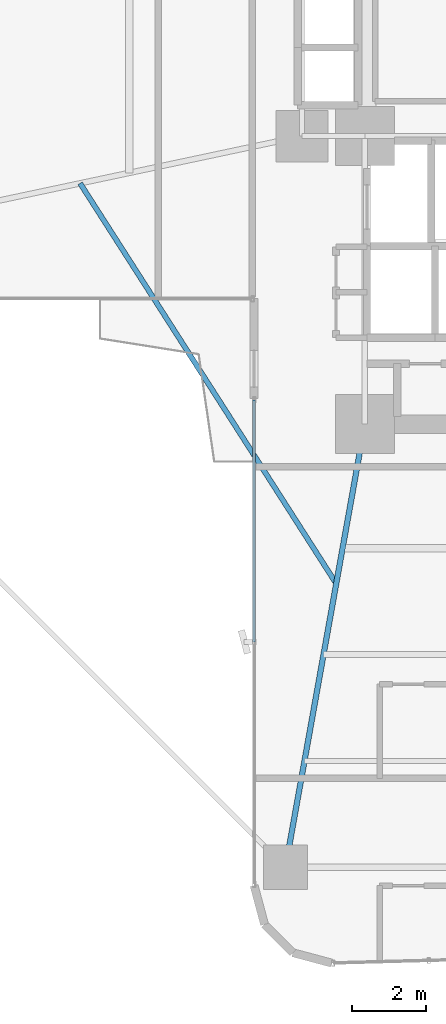
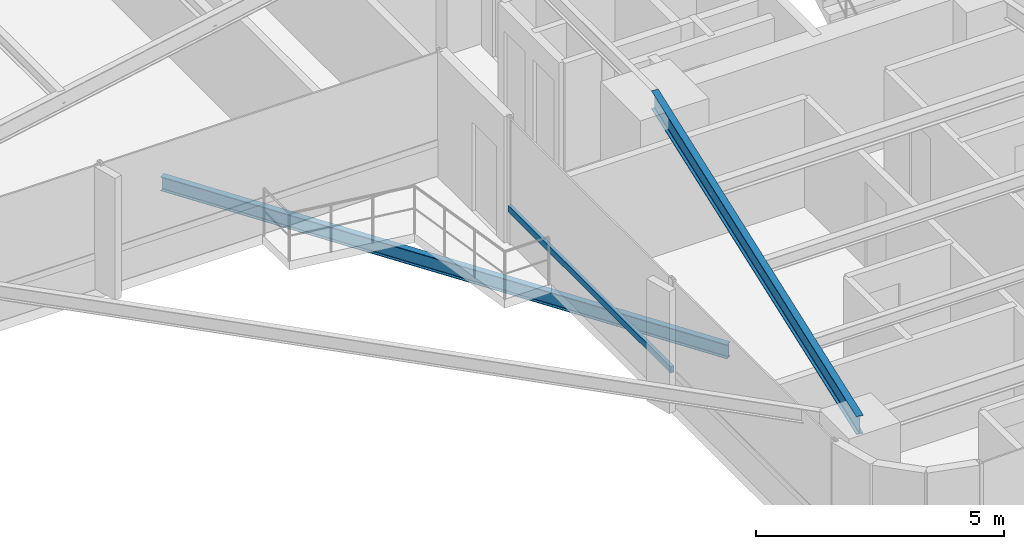
# One storey, part 3 of 26: 2 beams, 1 member, 1 element without a shape of its own.
"""IFC4 building model written with IfcOpenShell, lengths in metres."""

from ifc_helpers import new_model, si_unit, direction, frame, origin, origin_2d, place, context, subcontext, project, spatial, hollow_rectangle, i_section, extrude, source, transform, mapped, material, material_profile, profile_set, type_object, element, aggregate, save


model = new_model("IFC4")

# Units and contexts
model_context = context("Model", 3, precision=1e-05, world=origin(), true_north=direction((0.0, 1.0)))
body_context = subcontext(model_context, "Body", "Model", "MODEL_VIEW")
ifc_project = project(units=[si_unit("LENGTHUNIT", "METRE"), si_unit("AREAUNIT", "SQUARE_METRE"), si_unit("VOLUMEUNIT", "CUBIC_METRE"), si_unit("PLANEANGLEUNIT", "RADIAN"), si_unit("MASSUNIT", "GRAM", prefix="KILO")], contexts=[model_context])

# Site, building, storey
site_placement = place(None, origin())
site = spatial("IfcSite", under=ifc_project, at=site_placement, CompositionType="ELEMENT")
building_placement = place(site_placement, origin())
building = spatial("IfcBuilding", under=site, at=building_placement, Name="Sahyath Konkavel Grand Hotel", CompositionType="ELEMENT")
storey_placement = place(building_placement, frame((0.0, 0.0, 61.10009765625)))
storey = spatial("IfcBuildingStorey", under=building, at=storey_placement, Name="L16", CompositionType="ELEMENT", Elevation=61.10009765625)

# Beam
ifc_material_1 = material(Name="Steel E350", Category="steel")
ifc_material_profile_1 = material_profile(ifc_material_1, i_section(OverallWidth=0.14990234375, OverallDepth=0.449951171875, WebThickness=0.009521484375, FlangeThickness=0.017333984375, FilletRadius=0.014892578125, at=origin_2d()), Name="ISMB 450")
ifc_profile_set_1 = profile_set([ifc_material_profile_1], Name="Steel E350")
beam_type_1 = type_object("IfcBeamType", Name="BM-ISMB450", PredefinedType="BEAM", material=ifc_profile_set_1)
shared_shape_1 = source(origin(), body_context, "Body", "SweptSolid", [
    extrude(i_section(OverallWidth=0.14990234375, OverallDepth=0.449951171875, WebThickness=0.009521484375, FlangeThickness=0.017333984375, FilletRadius=0.014892578125, at=origin_2d()), origin(), (0.0, 0.0, 1.0), 12.191162109375),
])
beam_1_placement = place(storey_placement, frame((-3.800048828125, -10.199951171875, 2.885009765625), z_axis=(-0.176350650305, -0.984327409014, 0.0), x_axis=(0.984327409014, -0.176350650305, 0.0)))
element("IfcBeam", 1, at=beam_1_placement, inside=storey, type_object=beam_type_1, Name="L16 Cruciform Radial Girder SA", PredefinedType="BEAM", context=body_context, shape_type="MappedRepresentation", body=[
    mapped(shared_shape_1, transform((0.0, 0.0, 0.0), scale=1.0)),
])

# Curtain wall, member
ifc_material_2 = material(Name="Anodised Bronze Aluminium & Low-E Glazing", Category="aluminium")
curtain_wall_type = type_object("IfcCurtainWallType", Name="CW-ZONE1", PredefinedType="NOTDEFINED", material=ifc_material_2)
curtain_wall_placement = place(storey_placement, origin())
curtain_wall = element("IfcCurtainWall", 2, at=curtain_wall_placement, inside=storey, type_object=curtain_wall_type, Name="L16 Unitised Curtain Wall F24", PredefinedType="NOTDEFINED")
ifc_material_3 = material(Name="Anodised Bronze Aluminium", Category="aluminium")
ifc_material_profile_2 = material_profile(ifc_material_3, hollow_rectangle(XDim=0.080078125, YDim=0.159912109375, WallThickness=0.006103515625, at=origin_2d()), Name="RHS 160x80x6")
ifc_profile_set_2 = profile_set([ifc_material_profile_2], Name="Anodised Bronze Aluminium")
member_type = type_object("IfcMemberType", Name="CW-TRN-160", PredefinedType="USERDEFINED", material=ifc_profile_set_2)
shared_shape_2 = source(origin(), body_context, "Body", "SweptSolid", [
    extrude(hollow_rectangle(XDim=0.080078125, YDim=0.159912109375, WallThickness=0.006103515625, at=origin_2d()), origin(), (0.0, 0.0, 1.0), 6.56005859375),
])
member_placement = place(storey_placement, frame((-6.800048828125, -9.5400390625, 0.849853515625), z_axis=(0.0, -1.0, 0.0), x_axis=(1.0, 0.0, 0.0)))
member = element("IfcMember", 3, at=member_placement, type_object=member_type, Name="L16 Curtain Wall Transom F24-0-spandrel", ObjectType="TRANSOM", PredefinedType="USERDEFINED", context=body_context, shape_type="MappedRepresentation", body=[
    mapped(shared_shape_2, transform((0.0, 0.0, 0.0), scale=1.0)),
])
aggregate(curtain_wall, [member])

# Beam
ifc_material_profile_3 = material_profile(ifc_material_1, i_section(OverallWidth=0.139892578125, OverallDepth=0.35009765625, WebThickness=0.008056640625, FlangeThickness=0.01416015625, FilletRadius=0.013916015625, at=origin_2d()), Name="ISMB 350")
ifc_profile_set_3 = profile_set([ifc_material_profile_3], Name="Steel E350")
beam_type_2 = type_object("IfcBeamType", Name="BM-BALC-CANT", PredefinedType="BEAM", material=ifc_profile_set_3)
shared_shape_3 = source(origin(), body_context, "Body", "SweptSolid", [
    extrude(i_section(OverallWidth=0.139892578125, OverallDepth=0.35009765625, WebThickness=0.008056640625, FlangeThickness=0.01416015625, FilletRadius=0.013916015625, at=origin_2d()), origin(), (0.0, 0.0, 1.0), 12.871826171875),
])
beam_2_placement = place(storey_placement, frame((-11.511962890625, -3.677978515625, -0.4150390625), z_axis=(0.539003102535, -0.842303778608, 0.0), x_axis=(0.842303778608, 0.539003102535, 0.0)))
element("IfcBeam", 4, at=beam_2_placement, inside=storey, type_object=beam_type_2, Name="L16 Balcony Cantilever Support Beam SW", PredefinedType="BEAM", context=body_context, shape_type="MappedRepresentation", body=[
    mapped(shared_shape_3, transform((0.0, 0.0, 0.0), scale=1.0)),
])

save(model, "model.ifc")
